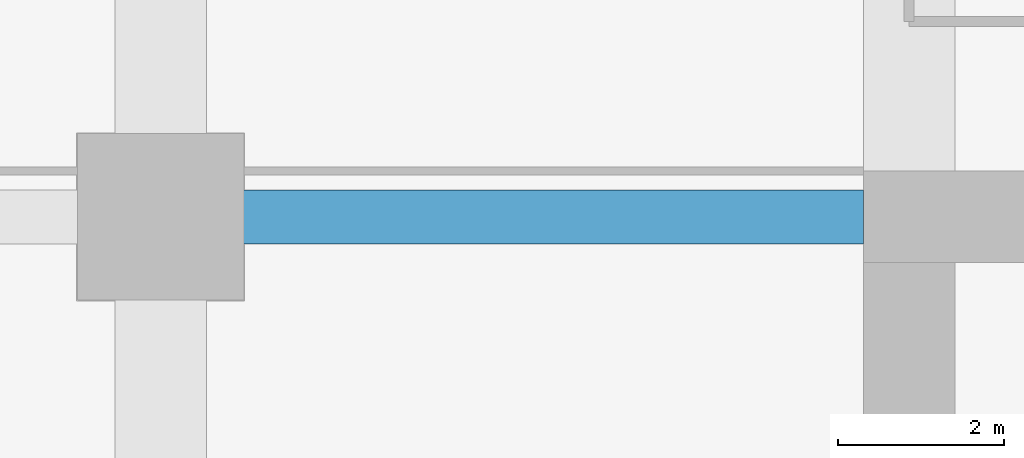
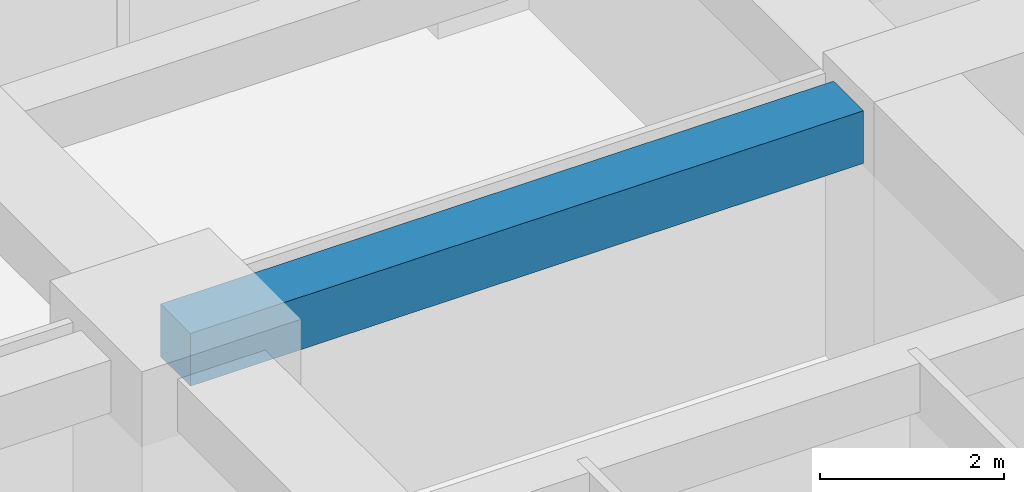
# One storey, part 25 of 39: 1 beam.
"""IFC4 building model written with IfcOpenShell, lengths in metres."""

from ifc_helpers import new_model, si_unit, direction, frame, origin, origin_2d, place, context, subcontext, project, spatial, rectangle, extrude, material, material_profile, profile_set, type_object, element, save


model = new_model("IFC4")

# Units and contexts
model_context = context("Model", 3, precision=1e-05, world=origin(), true_north=direction((0.0, 1.0)))
body_context = subcontext(model_context, "Body", "Model", "MODEL_VIEW")
ifc_project = project(units=[si_unit("LENGTHUNIT", "METRE"), si_unit("AREAUNIT", "SQUARE_METRE"), si_unit("VOLUMEUNIT", "CUBIC_METRE"), si_unit("PLANEANGLEUNIT", "RADIAN"), si_unit("MASSUNIT", "GRAM", prefix="KILO")], contexts=[model_context])

# Site, building, storey
site_placement = place(None, origin())
site = spatial("IfcSite", under=ifc_project, at=site_placement, CompositionType="ELEMENT")
building_placement = place(site_placement, origin())
building = spatial("IfcBuilding", under=site, at=building_placement, Name="Zorevar Civic Tower", CompositionType="ELEMENT")
storey_placement = place(building_placement, frame((0.0, 0.0, 117.0)))
storey = spatial("IfcBuildingStorey", under=building, at=storey_placement, Name="L28", CompositionType="ELEMENT", Elevation=117.0)

# Beam
ifc_material = material(Name="Concrete C50/60", Category="concrete")
ifc_material_profile = material_profile(ifc_material, rectangle(XDim=0.64990234375, YDim=0.699951171875, at=origin_2d()), Name="RC 650x700")
ifc_profile_set = profile_set([ifc_material_profile], Name="Concrete C50/60")
beam_type = type_object("IfcBeamType", Name="Beam RC 650x700", PredefinedType="BEAM", material=ifc_profile_set)
beam_placement = place(storey_placement, frame((9.0, 36.0, 3.39990234375), z_axis=(1.0, 0.0, 0.0), x_axis=(0.0, 1.0, 0.0)))
element("IfcBeam", 1, at=beam_placement, inside=storey, type_object=beam_type, Name="Girder L29", PredefinedType="BEAM", context=body_context, shape_type="SweptSolid", body=[
    extrude(rectangle(XDim=0.64990234375, YDim=0.699951171875, at=origin_2d()), origin(), (0.0, 0.0, 1.0), 8.449951171875),
])

save(model, "model.ifc")
